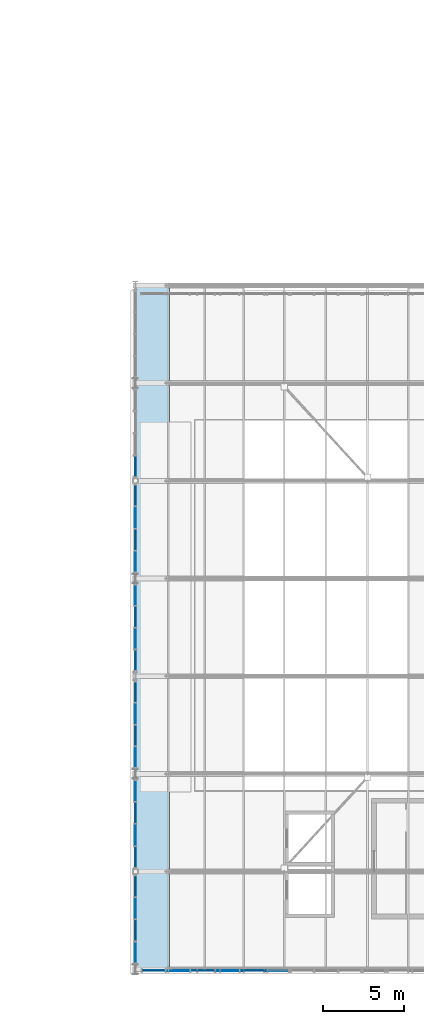
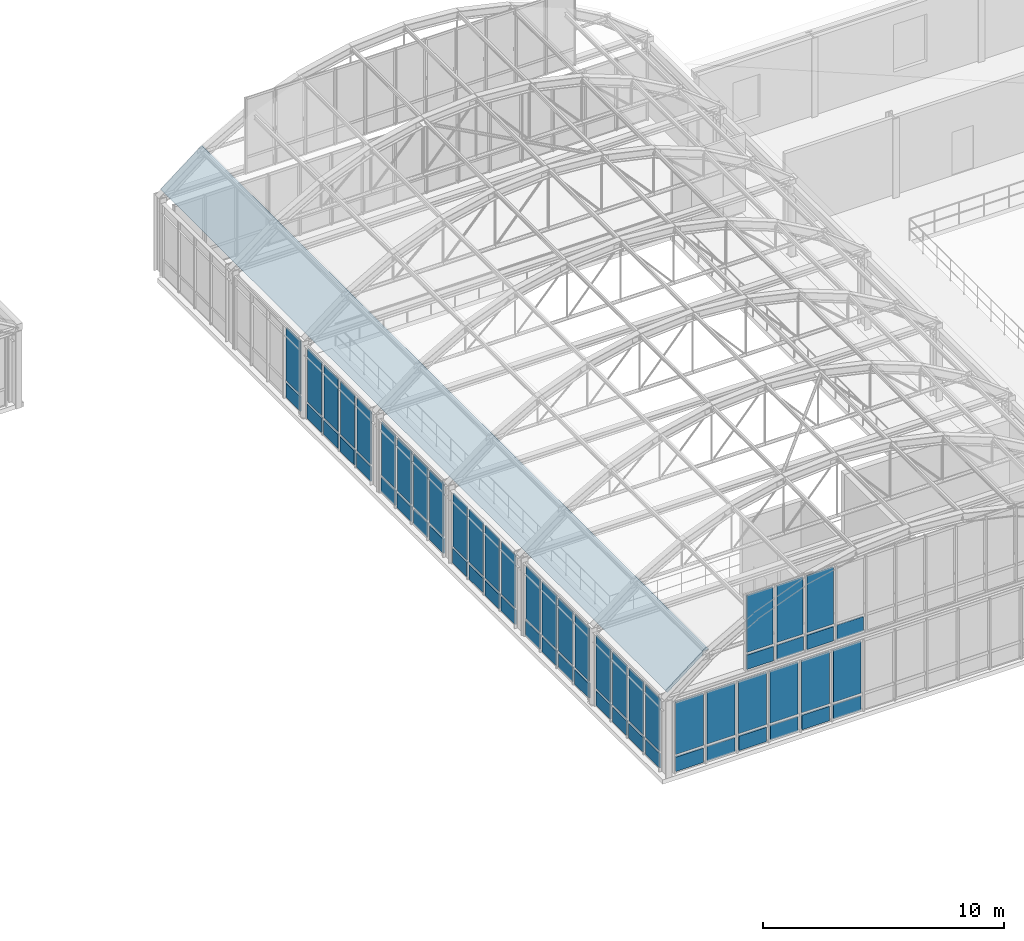
# One storey, part 97 of 148: 61 plates, 1 slab, 8 elements without a shape of their own.
"""IFC4 building model written with IfcOpenShell, lengths in metres."""

from ifc_helpers import new_model, si_unit, direction, frame, origin, origin_2d, place, context, subcontext, project, spatial, polyline, rectangle, outline, extrude, material, layer, layer_set, type_object, element, aggregate, save


model = new_model("IFC4")

# Units and contexts
model_context = context("Model", 3, precision=1e-05, world=origin(), true_north=direction((0.0, 1.0)))
body_context = subcontext(model_context, "Body", "Model", "MODEL_VIEW")
ifc_project = project(units=[si_unit("LENGTHUNIT", "METRE"), si_unit("AREAUNIT", "SQUARE_METRE"), si_unit("VOLUMEUNIT", "CUBIC_METRE"), si_unit("PLANEANGLEUNIT", "RADIAN"), si_unit("MASSUNIT", "GRAM", prefix="KILO"), si_unit("THERMODYNAMICTEMPERATUREUNIT", "KELVIN"), si_unit("POWERUNIT", "WATT")], contexts=[model_context])

# Site, building, storey
site_placement = place(None, origin())
site = spatial("IfcSite", under=ifc_project, at=site_placement, CompositionType="ELEMENT")
building_placement = place(site_placement, origin())
building = spatial("IfcBuilding", under=site, at=building_placement, Name="Solvatero Civic Police Headquarters", CompositionType="ELEMENT")
storey_placement = place(building_placement, frame((0.0, 0.0, 5.10009765625)))
storey = spatial("IfcBuildingStorey", under=building, at=storey_placement, Name="L01", CompositionType="ELEMENT", Elevation=5.10009765625)

# Curtain wall, plates
ifc_material_1 = material(Name="Anodized Bronze Aluminium", Category="aluminium")
ifc_layer_1 = layer(ifc_material_1, 0.179931640625)
ifc_layer_set_1 = layer_set([ifc_layer_1], Name="Anodized Bronze Aluminium")
curtain_wall_type_1 = type_object("IfcCurtainWallType", Name="CW-HAL-GLZ", PredefinedType="USERDEFINED", material=ifc_layer_set_1)
curtain_wall_1_placement = place(storey_placement, origin())
curtain_wall_1 = element("IfcCurtainWall", 1, at=curtain_wall_1_placement, inside=storey, type_object=curtain_wall_type_1, Name="Curtain Wall CW-R2-L01-V1-W-B1", ObjectType="UNITISED", PredefinedType="USERDEFINED")
ifc_material_2 = material(Name="Triple Low-E Laminated Glass", Category="glass")
ifc_layer_2 = layer(ifc_material_2, 0.0380859375)
ifc_layer_set_2 = layer_set([ifc_layer_2], Name="Triple Low-E Laminated Glass")
plate_type_1 = type_object("IfcPlateType", Name="CWP-GLZ-38", PredefinedType="CURTAIN_PANEL", material=ifc_layer_set_2)
plate_1_placement = place(storey_placement, frame((98.800048828125, 5.822265625, 0.909912109375), z_axis=(0.0, 0.0, 1.0), x_axis=(0.0, 1.0, 0.0)))
plate_1 = element("IfcPlate", 2, at=plate_1_placement, type_object=plate_type_1, Name="CW-R2-L01-V1-W-B1 Vision Glazing 1", PredefinedType="CURTAIN_PANEL", context=body_context, shape_type="SweptSolid", body=[
    extrude(rectangle(XDim=1.1845703125, YDim=0.0380859375, at=origin_2d()), origin(), (0.0, 0.0, 1.0), 2.68994140625),
])
plate_2_placement = place(storey_placement, frame((98.800048828125, 8.55126953125, 0.909912109375), z_axis=(0.0, 0.0, 1.0), x_axis=(0.0, 1.0, 0.0)))
plate_2 = element("IfcPlate", 3, at=plate_2_placement, type_object=plate_type_1, Name="CW-R2-L01-V1-W-B1 Vision Glazing 3", PredefinedType="CURTAIN_PANEL", context=body_context, shape_type="SweptSolid", body=[
    extrude(rectangle(XDim=1.1845703125, YDim=0.0380859375, at=origin_2d()), origin(), (0.0, 0.0, 1.0), 2.68994140625),
])

curtain_wall_2_placement = place(storey_placement, origin())
curtain_wall_2 = element("IfcCurtainWall", 4, at=curtain_wall_2_placement, inside=storey, type_object=curtain_wall_type_1, Name="Curtain Wall CW-R2-L01-V1-W-B2", ObjectType="UNITISED", PredefinedType="USERDEFINED")
plate_3_placement = place(storey_placement, frame((98.800048828125, 13.044921875, 0.909912109375), z_axis=(0.0, 0.0, 1.0), x_axis=(0.0, 1.0, 0.0)))
plate_3 = element("IfcPlate", 5, at=plate_3_placement, type_object=plate_type_1, Name="CW-R2-L01-V1-W-B2 Vision Glazing 2", PredefinedType="CURTAIN_PANEL", context=body_context, shape_type="SweptSolid", body=[
    extrude(rectangle(XDim=1.181884765625, YDim=0.0380859375, at=origin_2d()), origin(), (0.0, 0.0, 1.0), 2.68994140625),
])
plate_4_placement = place(storey_placement, frame((98.800048828125, 15.76904296875, 0.909912109375), z_axis=(0.0, 0.0, 1.0), x_axis=(0.0, 1.0, 0.0)))
plate_4 = element("IfcPlate", 6, at=plate_4_placement, type_object=plate_type_1, Name="CW-R2-L01-V1-W-B2 Vision Glazing 4", PredefinedType="CURTAIN_PANEL", context=body_context, shape_type="SweptSolid", body=[
    extrude(rectangle(XDim=1.181884765625, YDim=0.0380859375, at=origin_2d()), origin(), (0.0, 0.0, 1.0), 2.68994140625),
])

curtain_wall_3_placement = place(storey_placement, origin())
curtain_wall_3 = element("IfcCurtainWall", 7, at=curtain_wall_3_placement, inside=storey, type_object=curtain_wall_type_1, Name="Curtain Wall CW-R2-L01-V1-W-B3", ObjectType="UNITISED", PredefinedType="USERDEFINED")
plate_5_placement = place(storey_placement, frame((98.800048828125, 17.818603515625, 0.909912109375), z_axis=(0.0, 0.0, 1.0), x_axis=(0.0, 1.0, 0.0)))
plate_5 = element("IfcPlate", 8, at=plate_5_placement, type_object=plate_type_1, Name="CW-R2-L01-V1-W-B3 Vision Glazing 1", PredefinedType="CURTAIN_PANEL", context=body_context, shape_type="SweptSolid", body=[
    extrude(rectangle(XDim=1.156982421875, YDim=0.0380859375, at=origin_2d()), origin(), (0.0, 0.0, 1.0), 2.68994140625),
])
plate_6_placement = place(storey_placement, frame((98.800048828125, 20.492431640625, 0.909912109375), z_axis=(0.0, 0.0, 1.0), x_axis=(0.0, 1.0, 0.0)))
plate_6 = element("IfcPlate", 9, at=plate_6_placement, type_object=plate_type_1, Name="CW-R2-L01-V1-W-B3 Vision Glazing 3", PredefinedType="CURTAIN_PANEL", context=body_context, shape_type="SweptSolid", body=[
    extrude(rectangle(XDim=1.156982421875, YDim=0.0380859375, at=origin_2d()), origin(), (0.0, 0.0, 1.0), 2.68994140625),
])

curtain_wall_4_placement = place(storey_placement, origin())
curtain_wall_4 = element("IfcCurtainWall", 10, at=curtain_wall_4_placement, inside=storey, type_object=curtain_wall_type_1, Name="Curtain Wall CW-R2-L01-V1-W-B4", ObjectType="UNITISED", PredefinedType="USERDEFINED")
plate_7_placement = place(storey_placement, frame((98.800048828125, 25.111328125, 0.909912109375), z_axis=(0.0, 0.0, 1.0), x_axis=(0.0, 1.0, 0.0)))
plate_7 = element("IfcPlate", 11, at=plate_7_placement, type_object=plate_type_1, Name="CW-R2-L01-V1-W-B4 Vision Glazing 2", PredefinedType="CURTAIN_PANEL", context=body_context, shape_type="SweptSolid", body=[
    extrude(rectangle(XDim=1.159423828125, YDim=0.0380859375, at=origin_2d()), origin(), (0.0, 0.0, 1.0), 2.68994140625),
])
plate_8_placement = place(storey_placement, frame((98.800048828125, 27.790283203125, 0.909912109375), z_axis=(0.0, 0.0, 1.0), x_axis=(0.0, 1.0, 0.0)))
plate_8 = element("IfcPlate", 12, at=plate_8_placement, type_object=plate_type_1, Name="CW-R2-L01-V1-W-B4 Vision Glazing 4", PredefinedType="CURTAIN_PANEL", context=body_context, shape_type="SweptSolid", body=[
    extrude(rectangle(XDim=1.159423828125, YDim=0.0380859375, at=origin_2d()), origin(), (0.0, 0.0, 1.0), 2.68994140625),
])

curtain_wall_5_placement = place(storey_placement, origin())
curtain_wall_5 = element("IfcCurtainWall", 13, at=curtain_wall_5_placement, inside=storey, type_object=curtain_wall_type_1, Name="Curtain Wall CW-R2-L01-V1-W-B5", ObjectType="UNITISED", PredefinedType="USERDEFINED")
plate_9_placement = place(storey_placement, frame((98.800048828125, 29.822265625, 0.909912109375), z_axis=(0.0, 0.0, 1.0), x_axis=(0.0, 1.0, 0.0)))
plate_9 = element("IfcPlate", 14, at=plate_9_placement, type_object=plate_type_1, Name="CW-R2-L01-V1-W-B5 Vision Glazing 1", PredefinedType="CURTAIN_PANEL", context=body_context, shape_type="SweptSolid", body=[
    extrude(rectangle(XDim=1.1845703125, YDim=0.0380859375, at=origin_2d()), origin(), (0.0, 0.0, 1.0), 2.68994140625),
])
plate_10_placement = place(storey_placement, frame((98.800048828125, 32.55126953125, 0.909912109375), z_axis=(0.0, 0.0, 1.0), x_axis=(0.0, 1.0, 0.0)))
plate_10 = element("IfcPlate", 15, at=plate_10_placement, type_object=plate_type_1, Name="CW-R2-L01-V1-W-B5 Vision Glazing 3", PredefinedType="CURTAIN_PANEL", context=body_context, shape_type="SweptSolid", body=[
    extrude(rectangle(XDim=1.1845703125, YDim=0.0380859375, at=origin_2d()), origin(), (0.0, 0.0, 1.0), 2.68994140625),
])

curtain_wall_6_placement = place(storey_placement, origin())
curtain_wall_6 = element("IfcCurtainWall", 16, at=curtain_wall_6_placement, inside=storey, type_object=curtain_wall_type_1, Name="Curtain Wall CW-R2-L01-V1-S", ObjectType="UNITISED", PredefinedType="USERDEFINED")
plate_11_placement = place(storey_placement, frame((101.412109375, 4.719970703125, 0.909912109375), z_axis=(0.0, 0.0, 1.0), x_axis=(1.0, 0.0, 0.0)))
plate_11 = element("IfcPlate", 17, at=plate_11_placement, type_object=plate_type_1, Name="CW-R2-L01-V1-S Vision Glazing 2", PredefinedType="CURTAIN_PANEL", context=body_context, shape_type="SweptSolid", body=[
    extrude(rectangle(XDim=1.334716796875, YDim=0.0380859375, at=origin_2d()), origin(), (0.0, 0.0, 1.0), 2.64990234375),
])
plate_12_placement = place(storey_placement, frame((104.44140625, 4.719970703125, 0.909912109375), z_axis=(0.0, 0.0, 1.0), x_axis=(1.0, 0.0, 0.0)))
plate_12 = element("IfcPlate", 18, at=plate_12_placement, type_object=plate_type_1, Name="CW-R2-L01-V1-S Vision Glazing 4", PredefinedType="CURTAIN_PANEL", context=body_context, shape_type="SweptSolid", body=[
    extrude(rectangle(XDim=1.334716796875, YDim=0.0380859375, at=origin_2d()), origin(), (0.0, 0.0, 1.0), 2.64990234375),
])
plate_13_placement = place(storey_placement, frame((107.470703125, 4.719970703125, 0.909912109375), z_axis=(0.0, 0.0, 1.0), x_axis=(1.0, 0.0, 0.0)))
plate_13 = element("IfcPlate", 19, at=plate_13_placement, type_object=plate_type_1, Name="CW-R2-L01-V1-S Vision Glazing 6", PredefinedType="CURTAIN_PANEL", context=body_context, shape_type="SweptSolid", body=[
    extrude(rectangle(XDim=1.334716796875, YDim=0.0380859375, at=origin_2d()), origin(), (0.0, 0.0, 1.0), 2.64990234375),
])

# Curtain wall, plate
ifc_layer_3 = layer(ifc_material_1, 0.179931640625)
ifc_layer_set_3 = layer_set([ifc_layer_3], Name="Anodized Bronze Aluminium")
curtain_wall_type_2 = type_object("IfcCurtainWallType", Name="CW-VLT-TYMP", PredefinedType="USERDEFINED", material=ifc_layer_set_3)
curtain_wall_7_placement = place(storey_placement, origin())
curtain_wall_7 = element("IfcCurtainWall", 20, at=curtain_wall_7_placement, inside=storey, type_object=curtain_wall_type_2, Name="Curtain Wall CW-R2-L01-VLT1-S", ObjectType="UNITISED", PredefinedType="USERDEFINED")
plate_14_placement = place(storey_placement, frame((104.7255859375, 4.719970703125, 4.889892578125), z_axis=(0.0, 0.0, 1.0), x_axis=(1.0, 0.0, 0.0)))
plate_14 = element("IfcPlate", 21, at=plate_14_placement, type_object=plate_type_1, Name="CW-R2-L01-VLT1-S Vision Glazing 2", PredefinedType="CURTAIN_PANEL", context=body_context, shape_type="SweptSolid", body=[
    extrude(rectangle(XDim=1.263671875, YDim=0.0380859375, at=origin_2d()), origin(), (0.0, 0.0, 1.0), 2.89990234375),
])

# Plate
ifc_material_3 = material(Name="Acoustic Ballistic Laminated Glass", Category="glass")
ifc_layer_4 = layer(ifc_material_3, 0.0439453125)
ifc_layer_set_4 = layer_set([ifc_layer_4], Name="Acoustic Ballistic Laminated Glass")
plate_type_2 = type_object("IfcPlateType", Name="CWP-GLZ-44", PredefinedType="CURTAIN_PANEL", material=ifc_layer_set_4)
plate_15_placement = place(storey_placement, frame((98.800048828125, 7.186767578125, 0.909912109375), z_axis=(0.0, 0.0, 1.0), x_axis=(0.0, 1.0, 0.0)))
plate_15 = element("IfcPlate", 22, at=plate_15_placement, type_object=plate_type_2, Name="CW-R2-L01-V1-W-B1 Vision Glazing 2", PredefinedType="CURTAIN_PANEL", context=body_context, shape_type="SweptSolid", body=[
    extrude(rectangle(XDim=1.1845703125, YDim=0.0439453125, at=origin_2d()), origin(), (0.0, 0.0, 1.0), 2.68994140625),
])

plate_16_placement = place(storey_placement, frame((98.800048828125, 9.915771484375, 0.909912109375), z_axis=(0.0, 0.0, 1.0), x_axis=(0.0, 1.0, 0.0)))
plate_16 = element("IfcPlate", 23, at=plate_16_placement, type_object=plate_type_2, Name="CW-R2-L01-V1-W-B1 Vision Glazing 4", PredefinedType="CURTAIN_PANEL", context=body_context, shape_type="SweptSolid", body=[
    extrude(rectangle(XDim=1.1845703125, YDim=0.0439453125, at=origin_2d()), origin(), (0.0, 0.0, 1.0), 2.68994140625),
])

plate_17_placement = place(storey_placement, frame((98.800048828125, 11.68310546875, 0.909912109375), z_axis=(0.0, 0.0, 1.0), x_axis=(0.0, 1.0, 0.0)))
plate_17 = element("IfcPlate", 24, at=plate_17_placement, type_object=plate_type_2, Name="CW-R2-L01-V1-W-B2 Vision Glazing 1", PredefinedType="CURTAIN_PANEL", context=body_context, shape_type="SweptSolid", body=[
    extrude(rectangle(XDim=1.181884765625, YDim=0.0439453125, at=origin_2d()), origin(), (0.0, 0.0, 1.0), 2.68994140625),
])

plate_18_placement = place(storey_placement, frame((98.800048828125, 14.406982421875, 0.909912109375), z_axis=(0.0, 0.0, 1.0), x_axis=(0.0, 1.0, 0.0)))
plate_18 = element("IfcPlate", 25, at=plate_18_placement, type_object=plate_type_2, Name="CW-R2-L01-V1-W-B2 Vision Glazing 3", PredefinedType="CURTAIN_PANEL", context=body_context, shape_type="SweptSolid", body=[
    extrude(rectangle(XDim=1.181884765625, YDim=0.0439453125, at=origin_2d()), origin(), (0.0, 0.0, 1.0), 2.68994140625),
])

plate_19_placement = place(storey_placement, frame((98.800048828125, 19.155517578125, 0.909912109375), z_axis=(0.0, 0.0, 1.0), x_axis=(0.0, 1.0, 0.0)))
plate_19 = element("IfcPlate", 26, at=plate_19_placement, type_object=plate_type_2, Name="CW-R2-L01-V1-W-B3 Vision Glazing 2", PredefinedType="CURTAIN_PANEL", context=body_context, shape_type="SweptSolid", body=[
    extrude(rectangle(XDim=1.156982421875, YDim=0.0439453125, at=origin_2d()), origin(), (0.0, 0.0, 1.0), 2.68994140625),
])

plate_20_placement = place(storey_placement, frame((98.800048828125, 21.82958984375, 0.909912109375), z_axis=(0.0, 0.0, 1.0), x_axis=(0.0, 1.0, 0.0)))
plate_20 = element("IfcPlate", 27, at=plate_20_placement, type_object=plate_type_2, Name="CW-R2-L01-V1-W-B3 Vision Glazing 4", PredefinedType="CURTAIN_PANEL", context=body_context, shape_type="SweptSolid", body=[
    extrude(rectangle(XDim=1.156982421875, YDim=0.0439453125, at=origin_2d()), origin(), (0.0, 0.0, 1.0), 2.68994140625),
])

plate_21_placement = place(storey_placement, frame((98.800048828125, 23.771728515625, 0.909912109375), z_axis=(0.0, 0.0, 1.0), x_axis=(0.0, 1.0, 0.0)))
plate_21 = element("IfcPlate", 28, at=plate_21_placement, type_object=plate_type_2, Name="CW-R2-L01-V1-W-B4 Vision Glazing 1", PredefinedType="CURTAIN_PANEL", context=body_context, shape_type="SweptSolid", body=[
    extrude(rectangle(XDim=1.159423828125, YDim=0.0439453125, at=origin_2d()), origin(), (0.0, 0.0, 1.0), 2.68994140625),
])

plate_22_placement = place(storey_placement, frame((98.800048828125, 26.45068359375, 0.909912109375), z_axis=(0.0, 0.0, 1.0), x_axis=(0.0, 1.0, 0.0)))
plate_22 = element("IfcPlate", 29, at=plate_22_placement, type_object=plate_type_2, Name="CW-R2-L01-V1-W-B4 Vision Glazing 3", PredefinedType="CURTAIN_PANEL", context=body_context, shape_type="SweptSolid", body=[
    extrude(rectangle(XDim=1.159423828125, YDim=0.0439453125, at=origin_2d()), origin(), (0.0, 0.0, 1.0), 2.68994140625),
])

plate_23_placement = place(storey_placement, frame((98.800048828125, 31.186767578125, 0.909912109375), z_axis=(0.0, 0.0, 1.0), x_axis=(0.0, 1.0, 0.0)))
plate_23 = element("IfcPlate", 30, at=plate_23_placement, type_object=plate_type_2, Name="CW-R2-L01-V1-W-B5 Vision Glazing 2", PredefinedType="CURTAIN_PANEL", context=body_context, shape_type="SweptSolid", body=[
    extrude(rectangle(XDim=1.1845703125, YDim=0.0439453125, at=origin_2d()), origin(), (0.0, 0.0, 1.0), 2.68994140625),
])

plate_24_placement = place(storey_placement, frame((98.800048828125, 33.915771484375, 0.909912109375), z_axis=(0.0, 0.0, 1.0), x_axis=(0.0, 1.0, 0.0)))
plate_24 = element("IfcPlate", 31, at=plate_24_placement, type_object=plate_type_2, Name="CW-R2-L01-V1-W-B5 Vision Glazing 4", PredefinedType="CURTAIN_PANEL", context=body_context, shape_type="SweptSolid", body=[
    extrude(rectangle(XDim=1.1845703125, YDim=0.0439453125, at=origin_2d()), origin(), (0.0, 0.0, 1.0), 2.68994140625),
])

# Curtain wall, plate
curtain_wall_8_placement = place(storey_placement, origin())
curtain_wall_8 = element("IfcCurtainWall", 32, at=curtain_wall_8_placement, inside=storey, type_object=curtain_wall_type_1, Name="Curtain Wall CW-R2-L01-V1-W-B6", ObjectType="UNITISED", PredefinedType="USERDEFINED")
plate_25_placement = place(storey_placement, frame((98.800048828125, 35.68310546875, 0.909912109375), z_axis=(0.0, 0.0, 1.0), x_axis=(0.0, 1.0, 0.0)))
plate_25 = element("IfcPlate", 33, at=plate_25_placement, type_object=plate_type_2, Name="CW-R2-L01-V1-W-B6 Vision Glazing 1", PredefinedType="CURTAIN_PANEL", context=body_context, shape_type="SweptSolid", body=[
    extrude(rectangle(XDim=1.181884765625, YDim=0.0439453125, at=origin_2d()), origin(), (0.0, 0.0, 1.0), 2.68994140625),
])

# Plate
plate_26_placement = place(storey_placement, frame((99.897216796875, 4.719970703125, 0.909912109375), z_axis=(0.0, 0.0, 1.0), x_axis=(1.0, 0.0, 0.0)))
plate_26 = element("IfcPlate", 34, at=plate_26_placement, type_object=plate_type_2, Name="CW-R2-L01-V1-S Vision Glazing 1", PredefinedType="CURTAIN_PANEL", context=body_context, shape_type="SweptSolid", body=[
    extrude(rectangle(XDim=1.334716796875, YDim=0.0439453125, at=origin_2d()), origin(), (0.0, 0.0, 1.0), 2.64990234375),
])

plate_27_placement = place(storey_placement, frame((102.9267578125, 4.719970703125, 0.909912109375), z_axis=(0.0, 0.0, 1.0), x_axis=(1.0, 0.0, 0.0)))
plate_27 = element("IfcPlate", 35, at=plate_27_placement, type_object=plate_type_2, Name="CW-R2-L01-V1-S Vision Glazing 3", PredefinedType="CURTAIN_PANEL", context=body_context, shape_type="SweptSolid", body=[
    extrude(rectangle(XDim=1.334716796875, YDim=0.0439453125, at=origin_2d()), origin(), (0.0, 0.0, 1.0), 2.64990234375),
])

plate_28_placement = place(storey_placement, frame((105.9560546875, 4.719970703125, 0.909912109375), z_axis=(0.0, 0.0, 1.0), x_axis=(1.0, 0.0, 0.0)))
plate_28 = element("IfcPlate", 36, at=plate_28_placement, type_object=plate_type_2, Name="CW-R2-L01-V1-S Vision Glazing 5", PredefinedType="CURTAIN_PANEL", context=body_context, shape_type="SweptSolid", body=[
    extrude(rectangle(XDim=1.334716796875, YDim=0.0439453125, at=origin_2d()), origin(), (0.0, 0.0, 1.0), 2.64990234375),
])

plate_29_placement = place(storey_placement, frame((103.28173828125, 4.719970703125, 4.889892578125), z_axis=(0.0, 0.0, 1.0), x_axis=(1.0, 0.0, 0.0)))
plate_29 = element("IfcPlate", 37, at=plate_29_placement, type_object=plate_type_2, Name="CW-R2-L01-VLT1-S Vision Glazing 1", PredefinedType="CURTAIN_PANEL", context=body_context, shape_type="SweptSolid", body=[
    extrude(rectangle(XDim=1.263671875, YDim=0.0439453125, at=origin_2d()), origin(), (0.0, 0.0, 1.0), 2.89990234375),
])

plate_30_placement = place(storey_placement, frame((106.169189453125, 4.719970703125, 4.889892578125), z_axis=(0.0, 0.0, 1.0), x_axis=(1.0, 0.0, 0.0)))
plate_30 = element("IfcPlate", 38, at=plate_30_placement, type_object=plate_type_2, Name="CW-R2-L01-VLT1-S Vision Glazing 3", PredefinedType="CURTAIN_PANEL", context=body_context, shape_type="SweptSolid", body=[
    extrude(rectangle(XDim=1.263671875, YDim=0.0439453125, at=origin_2d()), origin(), (0.0, 0.0, 1.0), 2.89990234375),
])

ifc_material_4 = material(Name="Insulated Bronze Aluminium Spandrel", Category="aluminium")
ifc_layer_5 = layer(ifc_material_4, 0.06005859375)
ifc_layer_set_5 = layer_set([ifc_layer_5], Name="Insulated Bronze Aluminium Spandrel")
plate_type_3 = type_object("IfcPlateType", Name="CWP-SPN-60", PredefinedType="CURTAIN_PANEL", material=ifc_layer_set_5)
plate_31_placement = place(storey_placement, frame((98.800048828125, 5.822265625, 0.059814453125), z_axis=(0.0, 0.0, 1.0), x_axis=(0.0, 1.0, 0.0)))
plate_31 = element("IfcPlate", 39, at=plate_31_placement, type_object=plate_type_3, Name="CW-R2-L01-V1-W-B1 Spandrel Panel 1", PredefinedType="CURTAIN_PANEL", context=body_context, shape_type="SweptSolid", body=[
    extrude(rectangle(XDim=1.1845703125, YDim=0.06005859375, at=origin_2d()), origin(), (0.0, 0.0, 1.0), 0.72998046875),
])

plate_32_placement = place(storey_placement, frame((98.800048828125, 8.55126953125, 0.059814453125), z_axis=(0.0, 0.0, 1.0), x_axis=(0.0, 1.0, 0.0)))
plate_32 = element("IfcPlate", 40, at=plate_32_placement, type_object=plate_type_3, Name="CW-R2-L01-V1-W-B1 Spandrel Panel 3", PredefinedType="CURTAIN_PANEL", context=body_context, shape_type="SweptSolid", body=[
    extrude(rectangle(XDim=1.1845703125, YDim=0.06005859375, at=origin_2d()), origin(), (0.0, 0.0, 1.0), 0.72998046875),
])

plate_33_placement = place(storey_placement, frame((98.800048828125, 13.044921875, 0.059814453125), z_axis=(0.0, 0.0, 1.0), x_axis=(0.0, 1.0, 0.0)))
plate_33 = element("IfcPlate", 41, at=plate_33_placement, type_object=plate_type_3, Name="CW-R2-L01-V1-W-B2 Spandrel Panel 2", PredefinedType="CURTAIN_PANEL", context=body_context, shape_type="SweptSolid", body=[
    extrude(rectangle(XDim=1.181884765625, YDim=0.06005859375, at=origin_2d()), origin(), (0.0, 0.0, 1.0), 0.72998046875),
])

plate_34_placement = place(storey_placement, frame((98.800048828125, 15.76904296875, 0.059814453125), z_axis=(0.0, 0.0, 1.0), x_axis=(0.0, 1.0, 0.0)))
plate_34 = element("IfcPlate", 42, at=plate_34_placement, type_object=plate_type_3, Name="CW-R2-L01-V1-W-B2 Spandrel Panel 4", PredefinedType="CURTAIN_PANEL", context=body_context, shape_type="SweptSolid", body=[
    extrude(rectangle(XDim=1.181884765625, YDim=0.06005859375, at=origin_2d()), origin(), (0.0, 0.0, 1.0), 0.72998046875),
])

plate_35_placement = place(storey_placement, frame((98.800048828125, 17.818603515625, 0.059814453125), z_axis=(0.0, 0.0, 1.0), x_axis=(0.0, 1.0, 0.0)))
plate_35 = element("IfcPlate", 43, at=plate_35_placement, type_object=plate_type_3, Name="CW-R2-L01-V1-W-B3 Spandrel Panel 1", PredefinedType="CURTAIN_PANEL", context=body_context, shape_type="SweptSolid", body=[
    extrude(rectangle(XDim=1.156982421875, YDim=0.06005859375, at=origin_2d()), origin(), (0.0, 0.0, 1.0), 0.72998046875),
])

plate_36_placement = place(storey_placement, frame((98.800048828125, 20.492431640625, 0.059814453125), z_axis=(0.0, 0.0, 1.0), x_axis=(0.0, 1.0, 0.0)))
plate_36 = element("IfcPlate", 44, at=plate_36_placement, type_object=plate_type_3, Name="CW-R2-L01-V1-W-B3 Spandrel Panel 3", PredefinedType="CURTAIN_PANEL", context=body_context, shape_type="SweptSolid", body=[
    extrude(rectangle(XDim=1.156982421875, YDim=0.06005859375, at=origin_2d()), origin(), (0.0, 0.0, 1.0), 0.72998046875),
])

plate_37_placement = place(storey_placement, frame((98.800048828125, 25.111328125, 0.059814453125), z_axis=(0.0, 0.0, 1.0), x_axis=(0.0, 1.0, 0.0)))
plate_37 = element("IfcPlate", 45, at=plate_37_placement, type_object=plate_type_3, Name="CW-R2-L01-V1-W-B4 Spandrel Panel 2", PredefinedType="CURTAIN_PANEL", context=body_context, shape_type="SweptSolid", body=[
    extrude(rectangle(XDim=1.159423828125, YDim=0.06005859375, at=origin_2d()), origin(), (0.0, 0.0, 1.0), 0.72998046875),
])

plate_38_placement = place(storey_placement, frame((98.800048828125, 27.790283203125, 0.059814453125), z_axis=(0.0, 0.0, 1.0), x_axis=(0.0, 1.0, 0.0)))
plate_38 = element("IfcPlate", 46, at=plate_38_placement, type_object=plate_type_3, Name="CW-R2-L01-V1-W-B4 Spandrel Panel 4", PredefinedType="CURTAIN_PANEL", context=body_context, shape_type="SweptSolid", body=[
    extrude(rectangle(XDim=1.159423828125, YDim=0.06005859375, at=origin_2d()), origin(), (0.0, 0.0, 1.0), 0.72998046875),
])

plate_39_placement = place(storey_placement, frame((98.800048828125, 29.822265625, 0.059814453125), z_axis=(0.0, 0.0, 1.0), x_axis=(0.0, 1.0, 0.0)))
plate_39 = element("IfcPlate", 47, at=plate_39_placement, type_object=plate_type_3, Name="CW-R2-L01-V1-W-B5 Spandrel Panel 1", PredefinedType="CURTAIN_PANEL", context=body_context, shape_type="SweptSolid", body=[
    extrude(rectangle(XDim=1.1845703125, YDim=0.06005859375, at=origin_2d()), origin(), (0.0, 0.0, 1.0), 0.72998046875),
])

plate_40_placement = place(storey_placement, frame((98.800048828125, 32.55126953125, 0.059814453125), z_axis=(0.0, 0.0, 1.0), x_axis=(0.0, 1.0, 0.0)))
plate_40 = element("IfcPlate", 48, at=plate_40_placement, type_object=plate_type_3, Name="CW-R2-L01-V1-W-B5 Spandrel Panel 3", PredefinedType="CURTAIN_PANEL", context=body_context, shape_type="SweptSolid", body=[
    extrude(rectangle(XDim=1.1845703125, YDim=0.06005859375, at=origin_2d()), origin(), (0.0, 0.0, 1.0), 0.72998046875),
])

plate_41_placement = place(storey_placement, frame((101.412109375, 4.719970703125, 0.059814453125), z_axis=(0.0, 0.0, 1.0), x_axis=(1.0, 0.0, 0.0)))
plate_41 = element("IfcPlate", 49, at=plate_41_placement, type_object=plate_type_3, Name="CW-R2-L01-V1-S Spandrel Panel 2", PredefinedType="CURTAIN_PANEL", context=body_context, shape_type="SweptSolid", body=[
    extrude(rectangle(XDim=1.334716796875, YDim=0.06005859375, at=origin_2d()), origin(), (0.0, 0.0, 1.0), 0.72998046875),
])

plate_42_placement = place(storey_placement, frame((104.44140625, 4.719970703125, 0.059814453125), z_axis=(0.0, 0.0, 1.0), x_axis=(1.0, 0.0, 0.0)))
plate_42 = element("IfcPlate", 50, at=plate_42_placement, type_object=plate_type_3, Name="CW-R2-L01-V1-S Spandrel Panel 4", PredefinedType="CURTAIN_PANEL", context=body_context, shape_type="SweptSolid", body=[
    extrude(rectangle(XDim=1.334716796875, YDim=0.06005859375, at=origin_2d()), origin(), (0.0, 0.0, 1.0), 0.72998046875),
])

plate_43_placement = place(storey_placement, frame((107.470703125, 4.719970703125, 0.059814453125), z_axis=(0.0, 0.0, 1.0), x_axis=(1.0, 0.0, 0.0)))
plate_43 = element("IfcPlate", 51, at=plate_43_placement, type_object=plate_type_3, Name="CW-R2-L01-V1-S Spandrel Panel 6", PredefinedType="CURTAIN_PANEL", context=body_context, shape_type="SweptSolid", body=[
    extrude(rectangle(XDim=1.334716796875, YDim=0.06005859375, at=origin_2d()), origin(), (0.0, 0.0, 1.0), 0.72998046875),
])

plate_44_placement = place(storey_placement, frame((104.7255859375, 4.719970703125, 4.039794921875), z_axis=(0.0, 0.0, 1.0), x_axis=(1.0, 0.0, 0.0)))
plate_44 = element("IfcPlate", 52, at=plate_44_placement, type_object=plate_type_3, Name="CW-R2-L01-VLT1-S Spandrel Panel 2", PredefinedType="CURTAIN_PANEL", context=body_context, shape_type="SweptSolid", body=[
    extrude(rectangle(XDim=1.263671875, YDim=0.06005859375, at=origin_2d()), origin(), (0.0, 0.0, 1.0), 0.72998046875),
])

plate_45_placement = place(storey_placement, frame((107.61279296875, 4.719970703125, 4.039794921875), z_axis=(0.0, 0.0, 1.0), x_axis=(1.0, 0.0, 0.0)))
plate_45 = element("IfcPlate", 53, at=plate_45_placement, type_object=plate_type_3, Name="CW-R2-L01-VLT1-S Spandrel Panel 4", PredefinedType="CURTAIN_PANEL", context=body_context, shape_type="SweptSolid", body=[
    extrude(rectangle(XDim=1.263671875, YDim=0.06005859375, at=origin_2d()), origin(), (0.0, 0.0, 1.0), 0.72998046875),
])

ifc_material_5 = material(Name="Limestone Veneer Spandrel Panel", Category="masonry")
ifc_layer_6 = layer(ifc_material_5, 0.074951171875)
ifc_layer_set_6 = layer_set([ifc_layer_6], Name="Limestone Veneer Spandrel Panel")
plate_type_4 = type_object("IfcPlateType", Name="CWP-SPN-75", PredefinedType="CURTAIN_PANEL", material=ifc_layer_set_6)
plate_46_placement = place(storey_placement, frame((98.800048828125, 7.186767578125, 0.059814453125), z_axis=(0.0, 0.0, 1.0), x_axis=(0.0, 1.0, 0.0)))
plate_46 = element("IfcPlate", 54, at=plate_46_placement, type_object=plate_type_4, Name="CW-R2-L01-V1-W-B1 Spandrel Panel 2", PredefinedType="CURTAIN_PANEL", context=body_context, shape_type="SweptSolid", body=[
    extrude(rectangle(XDim=1.1845703125, YDim=0.074951171875, at=origin_2d()), origin(), (0.0, 0.0, 1.0), 0.72998046875),
])

plate_47_placement = place(storey_placement, frame((98.800048828125, 9.915771484375, 0.059814453125), z_axis=(0.0, 0.0, 1.0), x_axis=(0.0, 1.0, 0.0)))
plate_47 = element("IfcPlate", 55, at=plate_47_placement, type_object=plate_type_4, Name="CW-R2-L01-V1-W-B1 Spandrel Panel 4", PredefinedType="CURTAIN_PANEL", context=body_context, shape_type="SweptSolid", body=[
    extrude(rectangle(XDim=1.1845703125, YDim=0.074951171875, at=origin_2d()), origin(), (0.0, 0.0, 1.0), 0.72998046875),
])

aggregate(curtain_wall_1, [plate_31, plate_1, plate_46, plate_15, plate_32, plate_2, plate_47, plate_16])

plate_48_placement = place(storey_placement, frame((98.800048828125, 11.68310546875, 0.059814453125), z_axis=(0.0, 0.0, 1.0), x_axis=(0.0, 1.0, 0.0)))
plate_48 = element("IfcPlate", 56, at=plate_48_placement, type_object=plate_type_4, Name="CW-R2-L01-V1-W-B2 Spandrel Panel 1", PredefinedType="CURTAIN_PANEL", context=body_context, shape_type="SweptSolid", body=[
    extrude(rectangle(XDim=1.181884765625, YDim=0.074951171875, at=origin_2d()), origin(), (0.0, 0.0, 1.0), 0.72998046875),
])

plate_49_placement = place(storey_placement, frame((98.800048828125, 14.406982421875, 0.059814453125), z_axis=(0.0, 0.0, 1.0), x_axis=(0.0, 1.0, 0.0)))
plate_49 = element("IfcPlate", 57, at=plate_49_placement, type_object=plate_type_4, Name="CW-R2-L01-V1-W-B2 Spandrel Panel 3", PredefinedType="CURTAIN_PANEL", context=body_context, shape_type="SweptSolid", body=[
    extrude(rectangle(XDim=1.181884765625, YDim=0.074951171875, at=origin_2d()), origin(), (0.0, 0.0, 1.0), 0.72998046875),
])

aggregate(curtain_wall_2, [plate_48, plate_17, plate_33, plate_3, plate_49, plate_18, plate_34, plate_4])

plate_50_placement = place(storey_placement, frame((98.800048828125, 19.155517578125, 0.059814453125), z_axis=(0.0, 0.0, 1.0), x_axis=(0.0, 1.0, 0.0)))
plate_50 = element("IfcPlate", 58, at=plate_50_placement, type_object=plate_type_4, Name="CW-R2-L01-V1-W-B3 Spandrel Panel 2", PredefinedType="CURTAIN_PANEL", context=body_context, shape_type="SweptSolid", body=[
    extrude(rectangle(XDim=1.156982421875, YDim=0.074951171875, at=origin_2d()), origin(), (0.0, 0.0, 1.0), 0.72998046875),
])

plate_51_placement = place(storey_placement, frame((98.800048828125, 21.82958984375, 0.059814453125), z_axis=(0.0, 0.0, 1.0), x_axis=(0.0, 1.0, 0.0)))
plate_51 = element("IfcPlate", 59, at=plate_51_placement, type_object=plate_type_4, Name="CW-R2-L01-V1-W-B3 Spandrel Panel 4", PredefinedType="CURTAIN_PANEL", context=body_context, shape_type="SweptSolid", body=[
    extrude(rectangle(XDim=1.156982421875, YDim=0.074951171875, at=origin_2d()), origin(), (0.0, 0.0, 1.0), 0.72998046875),
])

aggregate(curtain_wall_3, [plate_35, plate_5, plate_50, plate_19, plate_36, plate_6, plate_51, plate_20])

plate_52_placement = place(storey_placement, frame((98.800048828125, 23.771728515625, 0.059814453125), z_axis=(0.0, 0.0, 1.0), x_axis=(0.0, 1.0, 0.0)))
plate_52 = element("IfcPlate", 60, at=plate_52_placement, type_object=plate_type_4, Name="CW-R2-L01-V1-W-B4 Spandrel Panel 1", PredefinedType="CURTAIN_PANEL", context=body_context, shape_type="SweptSolid", body=[
    extrude(rectangle(XDim=1.159423828125, YDim=0.074951171875, at=origin_2d()), origin(), (0.0, 0.0, 1.0), 0.72998046875),
])

plate_53_placement = place(storey_placement, frame((98.800048828125, 26.45068359375, 0.059814453125), z_axis=(0.0, 0.0, 1.0), x_axis=(0.0, 1.0, 0.0)))
plate_53 = element("IfcPlate", 61, at=plate_53_placement, type_object=plate_type_4, Name="CW-R2-L01-V1-W-B4 Spandrel Panel 3", PredefinedType="CURTAIN_PANEL", context=body_context, shape_type="SweptSolid", body=[
    extrude(rectangle(XDim=1.159423828125, YDim=0.074951171875, at=origin_2d()), origin(), (0.0, 0.0, 1.0), 0.72998046875),
])

aggregate(curtain_wall_4, [plate_52, plate_21, plate_37, plate_7, plate_53, plate_22, plate_38, plate_8])

plate_54_placement = place(storey_placement, frame((98.800048828125, 31.186767578125, 0.059814453125), z_axis=(0.0, 0.0, 1.0), x_axis=(0.0, 1.0, 0.0)))
plate_54 = element("IfcPlate", 62, at=plate_54_placement, type_object=plate_type_4, Name="CW-R2-L01-V1-W-B5 Spandrel Panel 2", PredefinedType="CURTAIN_PANEL", context=body_context, shape_type="SweptSolid", body=[
    extrude(rectangle(XDim=1.1845703125, YDim=0.074951171875, at=origin_2d()), origin(), (0.0, 0.0, 1.0), 0.72998046875),
])

plate_55_placement = place(storey_placement, frame((98.800048828125, 33.915771484375, 0.059814453125), z_axis=(0.0, 0.0, 1.0), x_axis=(0.0, 1.0, 0.0)))
plate_55 = element("IfcPlate", 63, at=plate_55_placement, type_object=plate_type_4, Name="CW-R2-L01-V1-W-B5 Spandrel Panel 4", PredefinedType="CURTAIN_PANEL", context=body_context, shape_type="SweptSolid", body=[
    extrude(rectangle(XDim=1.1845703125, YDim=0.074951171875, at=origin_2d()), origin(), (0.0, 0.0, 1.0), 0.72998046875),
])

aggregate(curtain_wall_5, [plate_39, plate_9, plate_54, plate_23, plate_40, plate_10, plate_55, plate_24])

plate_56_placement = place(storey_placement, frame((98.800048828125, 35.68310546875, 0.059814453125), z_axis=(0.0, 0.0, 1.0), x_axis=(0.0, 1.0, 0.0)))
plate_56 = element("IfcPlate", 64, at=plate_56_placement, type_object=plate_type_4, Name="CW-R2-L01-V1-W-B6 Spandrel Panel 1", PredefinedType="CURTAIN_PANEL", context=body_context, shape_type="SweptSolid", body=[
    extrude(rectangle(XDim=1.181884765625, YDim=0.074951171875, at=origin_2d()), origin(), (0.0, 0.0, 1.0), 0.72998046875),
])

aggregate(curtain_wall_8, [plate_56, plate_25])

plate_57_placement = place(storey_placement, frame((99.897216796875, 4.719970703125, 0.059814453125), z_axis=(0.0, 0.0, 1.0), x_axis=(1.0, 0.0, 0.0)))
plate_57 = element("IfcPlate", 65, at=plate_57_placement, type_object=plate_type_4, Name="CW-R2-L01-V1-S Spandrel Panel 1", PredefinedType="CURTAIN_PANEL", context=body_context, shape_type="SweptSolid", body=[
    extrude(rectangle(XDim=1.334716796875, YDim=0.074951171875, at=origin_2d()), origin(), (0.0, 0.0, 1.0), 0.72998046875),
])

plate_58_placement = place(storey_placement, frame((102.9267578125, 4.719970703125, 0.059814453125), z_axis=(0.0, 0.0, 1.0), x_axis=(1.0, 0.0, 0.0)))
plate_58 = element("IfcPlate", 66, at=plate_58_placement, type_object=plate_type_4, Name="CW-R2-L01-V1-S Spandrel Panel 3", PredefinedType="CURTAIN_PANEL", context=body_context, shape_type="SweptSolid", body=[
    extrude(rectangle(XDim=1.334716796875, YDim=0.074951171875, at=origin_2d()), origin(), (0.0, 0.0, 1.0), 0.72998046875),
])

plate_59_placement = place(storey_placement, frame((105.9560546875, 4.719970703125, 0.059814453125), z_axis=(0.0, 0.0, 1.0), x_axis=(1.0, 0.0, 0.0)))
plate_59 = element("IfcPlate", 67, at=plate_59_placement, type_object=plate_type_4, Name="CW-R2-L01-V1-S Spandrel Panel 5", PredefinedType="CURTAIN_PANEL", context=body_context, shape_type="SweptSolid", body=[
    extrude(rectangle(XDim=1.334716796875, YDim=0.074951171875, at=origin_2d()), origin(), (0.0, 0.0, 1.0), 0.72998046875),
])

aggregate(curtain_wall_6, [plate_57, plate_26, plate_41, plate_11, plate_58, plate_27, plate_42, plate_12, plate_59, plate_28, plate_43, plate_13])

plate_60_placement = place(storey_placement, frame((103.28173828125, 4.719970703125, 4.039794921875), z_axis=(0.0, 0.0, 1.0), x_axis=(1.0, 0.0, 0.0)))
plate_60 = element("IfcPlate", 68, at=plate_60_placement, type_object=plate_type_4, Name="CW-R2-L01-VLT1-S Spandrel Panel 1", PredefinedType="CURTAIN_PANEL", context=body_context, shape_type="SweptSolid", body=[
    extrude(rectangle(XDim=1.263671875, YDim=0.074951171875, at=origin_2d()), origin(), (0.0, 0.0, 1.0), 0.72998046875),
])

plate_61_placement = place(storey_placement, frame((106.169189453125, 4.719970703125, 4.039794921875), z_axis=(0.0, 0.0, 1.0), x_axis=(1.0, 0.0, 0.0)))
plate_61 = element("IfcPlate", 69, at=plate_61_placement, type_object=plate_type_4, Name="CW-R2-L01-VLT1-S Spandrel Panel 3", PredefinedType="CURTAIN_PANEL", context=body_context, shape_type="SweptSolid", body=[
    extrude(rectangle(XDim=1.263671875, YDim=0.074951171875, at=origin_2d()), origin(), (0.0, 0.0, 1.0), 0.72998046875),
])

aggregate(curtain_wall_7, [plate_60, plate_29, plate_44, plate_14, plate_61, plate_30, plate_45])

# Slab
ifc_material_6 = material(Name="Concrete C35/45", Category="concrete")
ifc_layer_7 = layer(ifc_material_6, 0.159912109375)
ifc_layer_set_7 = layer_set([ifc_layer_7], Name="Concrete C35/45")
slab_type = type_object("IfcSlabType", Name="SLB-RF-VLT-160", PredefinedType="ROOF", material=ifc_layer_set_7)
slab_placement = place(storey_placement, frame((98.82373046875, 4.840087890625, 4.21826171875), z_axis=(-0.613866301019, 0.0, 0.789410010371), x_axis=(0.789410010371, 0.0, 0.613866301019)))
element("IfcSlab", 70, at=slab_placement, inside=storey, type_object=slab_type, Name="VLT1 Barrel Vault Roof Slab Facet 1", PredefinedType="ROOF", context=body_context, shape_type="SweptSolid", body=[
    extrude(outline(polyline([(0.0, 0.0), (2.5019921590840757, 0.0), (2.5019921590840757, 41.9599609375), (0.0, 41.9599609375), (0.0, 0.0)])), origin(), (0.0, 0.0, -1.0), 0.159912109375),
])

save(model, "model.ifc")
